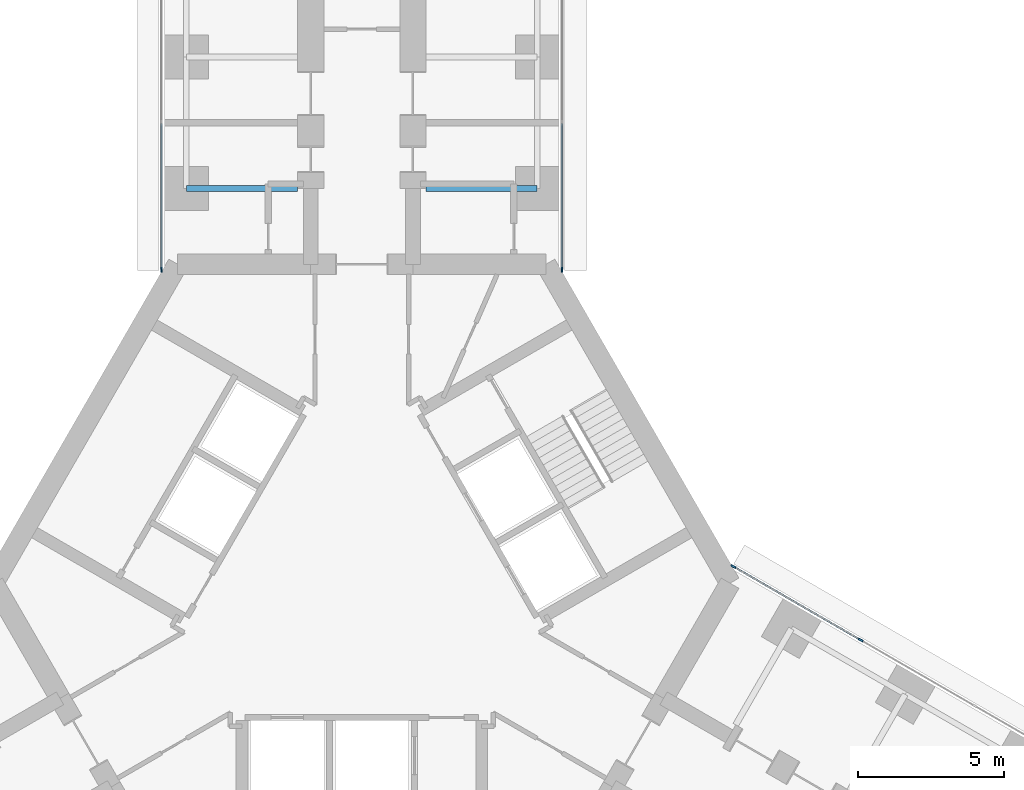
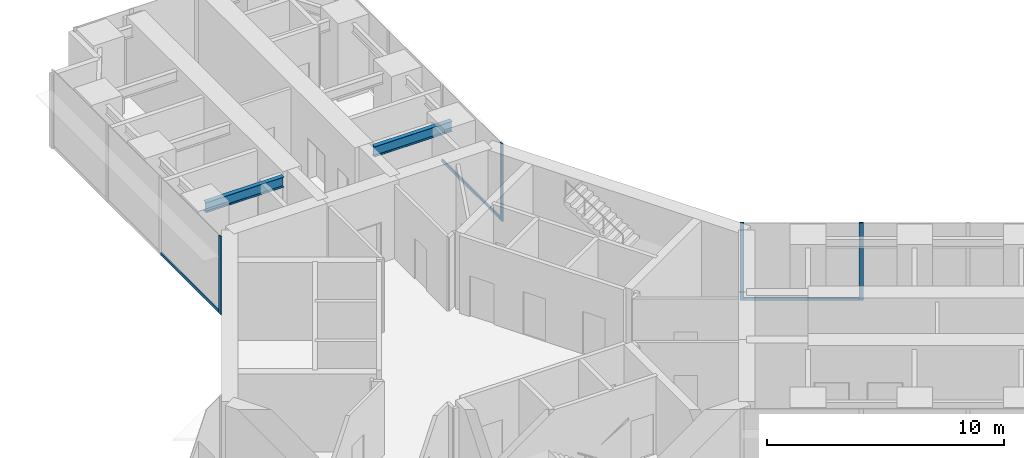
# One storey, part 11 of 23: 7 members, 2 beams, 3 elements without a shape of their own.
"""IFC4 building model written with IfcOpenShell, lengths in metres."""

from ifc_helpers import new_model, si_unit, direction, frame, origin, origin_2d, place, context, subcontext, project, spatial, rectangle, i_section, extrude, material, material_profile, profile_set, type_object, element, aggregate, save


model = new_model("IFC4")

# Units and contexts
model_context = context("Model", 3, precision=1e-05, world=origin(), true_north=direction((0.0, 1.0)))
body_context = subcontext(model_context, "Body", "Model", "MODEL_VIEW")
ifc_project = project(units=[si_unit("LENGTHUNIT", "METRE"), si_unit("AREAUNIT", "SQUARE_METRE"), si_unit("VOLUMEUNIT", "CUBIC_METRE"), si_unit("PLANEANGLEUNIT", "RADIAN"), si_unit("MASSUNIT", "GRAM", prefix="KILO")], contexts=[model_context])

# Site, building, storey
site_placement = place(None, origin())
site = spatial("IfcSite", under=ifc_project, at=site_placement, CompositionType="ELEMENT")
building_placement = place(site_placement, origin())
building = spatial("IfcBuilding", under=site, at=building_placement, Name="Upepo Twin Towers", CompositionType="ELEMENT")
storey_placement = place(building_placement, frame((0.0, 0.0, 32.5)))
storey = spatial("IfcBuildingStorey", under=building, at=storey_placement, Name="L07", CompositionType="ELEMENT", Elevation=32.5)

# Beams
ifc_material_1 = material(Name="Steel S355", Category="steel")
ifc_material_profile_1 = material_profile(ifc_material_1, i_section(OverallWidth=0.209228515625, OverallDepth=0.533203125, WebThickness=0.010009765625, FlangeThickness=0.015625, FilletRadius=0.0126953125, at=origin_2d()), Name="UB 533x210x92")
ifc_profile_set_1 = profile_set([ifc_material_profile_1], Name="Steel S355")
beam_type = type_object("IfcBeamType", Name="Beam UB 533x210x92", PredefinedType="BEAM", material=ifc_profile_set_1)
for number, where, z_axis, x_axis, name in (
    (1, (52.5, -4.5, 3.533447265625), (1.0, 0.0, 0.0), (0.0, 1.0, 0.0), "T2 girder AL at 13.5"),
    (2, (64.5, -4.5, 3.533447265625), (-1.0, 0.0, 0.0), (0.0, -1.0, 0.0), "T2 girder AR at 13.5"),
):
    element("IfcBeam", number, at=place(storey_placement, frame(where, z_axis=z_axis, x_axis=x_axis)), inside=storey, type_object=beam_type, Name=name, PredefinedType="BEAM", context=body_context, shape_type="SweptSolid", body=[
        extrude(i_section(OverallWidth=0.209228515625, OverallDepth=0.533203125, WebThickness=0.010009765625, FlangeThickness=0.015625, FilletRadius=0.0126953125, at=origin_2d()), origin(), (0.0, 0.0, 1.0), 3.800048828125),
    ])

# Curtain wall, member
ifc_material_2 = material(Name="Aluminium and fritted glass", Category="aluminium")
curtain_wall_type = type_object("IfcCurtainWallType", Name="Tower curtain wall TW1, fritted glass", PredefinedType="NOTDEFINED", material=ifc_material_2)
curtain_wall_1_placement = place(storey_placement, origin())
curtain_wall_1 = element("IfcCurtainWall", 3, at=curtain_wall_1_placement, inside=storey, type_object=curtain_wall_type, Name="T2 L07 wing A flank L curtain wall", PredefinedType="NOTDEFINED")
ifc_material_3 = material(Name="Aluminium mullion", Category="aluminium")
ifc_material_profile_2 = material_profile(ifc_material_3, rectangle(XDim=0.06494140625, YDim=0.179931640625, at=origin_2d()), Name="MULLION 65x180")
ifc_profile_set_2 = profile_set([ifc_material_profile_2], Name="Aluminium mullion")
member_type_1 = type_object("IfcMemberType", Name="Mullion 65x180 TW1", PredefinedType="MULLION", material=ifc_profile_set_2)
member_1_placement = place(storey_placement, frame((51.64990234375, -7.2802734375, 0.0), z_axis=(0.0, 0.0, 1.0), x_axis=(-1.0, 0.0, 0.0)))
member_1 = element("IfcMember", 4, at=member_1_placement, type_object=member_type_1, Name="T2 L07 wing A flank L curtain wall mullion 1", PredefinedType="MULLION", context=body_context, shape_type="SweptSolid", body=[
    extrude(rectangle(XDim=0.06494140625, YDim=0.179931640625, at=origin_2d()), origin(), (0.0, 0.0, 1.0), 4.0),
])

curtain_wall_2_placement = place(storey_placement, origin())
curtain_wall_2 = element("IfcCurtainWall", 5, at=curtain_wall_2_placement, inside=storey, type_object=curtain_wall_type, Name="T2 L07 wing A flank R curtain wall", PredefinedType="NOTDEFINED")
member_2_placement = place(storey_placement, frame((65.35009765625, -7.2802734375, 0.0), z_axis=(0.0, 0.0, 1.0), x_axis=(1.0, 0.0, 0.0)))
member_2 = element("IfcMember", 6, at=member_2_placement, type_object=member_type_1, Name="T2 L07 wing A flank R curtain wall mullion 4", PredefinedType="MULLION", context=body_context, shape_type="SweptSolid", body=[
    extrude(rectangle(XDim=0.06494140625, YDim=0.179931640625, at=origin_2d()), origin(), (0.0, 0.0, 1.0), 4.0),
])

# Curtain wall, members
curtain_wall_3_placement = place(storey_placement, origin())
curtain_wall_3 = element("IfcCurtainWall", 7, at=curtain_wall_3_placement, inside=storey, type_object=curtain_wall_type, Name="T2 L07 wing C flank L curtain wall", PredefinedType="NOTDEFINED")
member_3_placement = place(storey_placement, frame((71.20849609375, -17.427490234375, 0.0), z_axis=(0.0, 0.0, 1.0), x_axis=(0.500000024426, 0.866025389682, 0.0)))
member_3 = element("IfcMember", 8, at=member_3_placement, type_object=member_type_1, Name="T2 L07 wing C flank L curtain wall mullion 1", PredefinedType="MULLION", context=body_context, shape_type="SweptSolid", body=[
    extrude(rectangle(XDim=0.06494140625, YDim=0.179931640625, at=origin_2d()), origin(), (0.0, 0.0, 1.0), 4.0),
])
member_4_placement = place(storey_placement, frame((75.56494140625, -19.942626953125, 0.0), z_axis=(0.0, 0.0, 1.0), x_axis=(0.500000024426, 0.866025389682, 0.0)))
member_4 = element("IfcMember", 9, at=member_4_placement, type_object=member_type_1, Name="T2 L07 wing C flank L curtain wall mullion 2", PredefinedType="MULLION", context=body_context, shape_type="SweptSolid", body=[
    extrude(rectangle(XDim=0.06494140625, YDim=0.179931640625, at=origin_2d()), origin(), (0.0, 0.0, 1.0), 4.0),
])

# Member
ifc_material_4 = material(Name="Aluminium transom", Category="aluminium")
ifc_material_profile_3 = material_profile(ifc_material_4, rectangle(XDim=0.06494140625, YDim=0.14990234375, at=origin_2d()), Name="TRANSOM 65x150")
ifc_profile_set_3 = profile_set([ifc_material_profile_3], Name="Aluminium transom")
member_type_2 = type_object("IfcMemberType", Name="Transom 65x150 TW1", PredefinedType="USERDEFINED", material=ifc_profile_set_3)
member_5_placement = place(storey_placement, frame((51.64990234375, -7.247802734375, 0.074951171875), z_axis=(0.0, 1.0, 0.0), x_axis=(-1.0, 0.0, 0.0)))
member_5 = element("IfcMember", 10, at=member_5_placement, type_object=member_type_2, Name="T2 L07 wing A flank L curtain wall transom 1", ObjectType="TRANSOM", PredefinedType="USERDEFINED", context=body_context, shape_type="SweptSolid", body=[
    extrude(rectangle(XDim=0.06494140625, YDim=0.14990234375, at=origin_2d()), origin(), (0.0, 0.0, 1.0), 4.96533203125),
])

aggregate(curtain_wall_1, [member_1, member_5])

member_6_placement = place(storey_placement, frame((65.35009765625, -2.282470703125, 0.074951171875), z_axis=(0.0, -1.0, 0.0), x_axis=(1.0, 0.0, 0.0)))
member_6 = element("IfcMember", 11, at=member_6_placement, type_object=member_type_2, Name="T2 L07 wing A flank R curtain wall transom 3", ObjectType="TRANSOM", PredefinedType="USERDEFINED", context=body_context, shape_type="SweptSolid", body=[
    extrude(rectangle(XDim=0.06494140625, YDim=0.14990234375, at=origin_2d()), origin(), (0.0, 0.0, 1.0), 4.96533203125),
])

aggregate(curtain_wall_2, [member_2, member_6])

member_7_placement = place(storey_placement, frame((71.236572265625, -17.44384765625, 0.074951171875), z_axis=(0.866034933967, -0.499983492876, 0.0), x_axis=(0.499983492876, 0.866034933967, 0.0)))
member_7 = element("IfcMember", 12, at=member_7_placement, type_object=member_type_2, Name="T2 L07 wing C flank L curtain wall transom 1", ObjectType="TRANSOM", PredefinedType="USERDEFINED", context=body_context, shape_type="SweptSolid", body=[
    extrude(rectangle(XDim=0.06494140625, YDim=0.14990234375, at=origin_2d()), origin(), (0.0, 0.0, 1.0), 4.965576171875),
])

aggregate(curtain_wall_3, [member_3, member_4, member_7])

save(model, "model.ifc")
